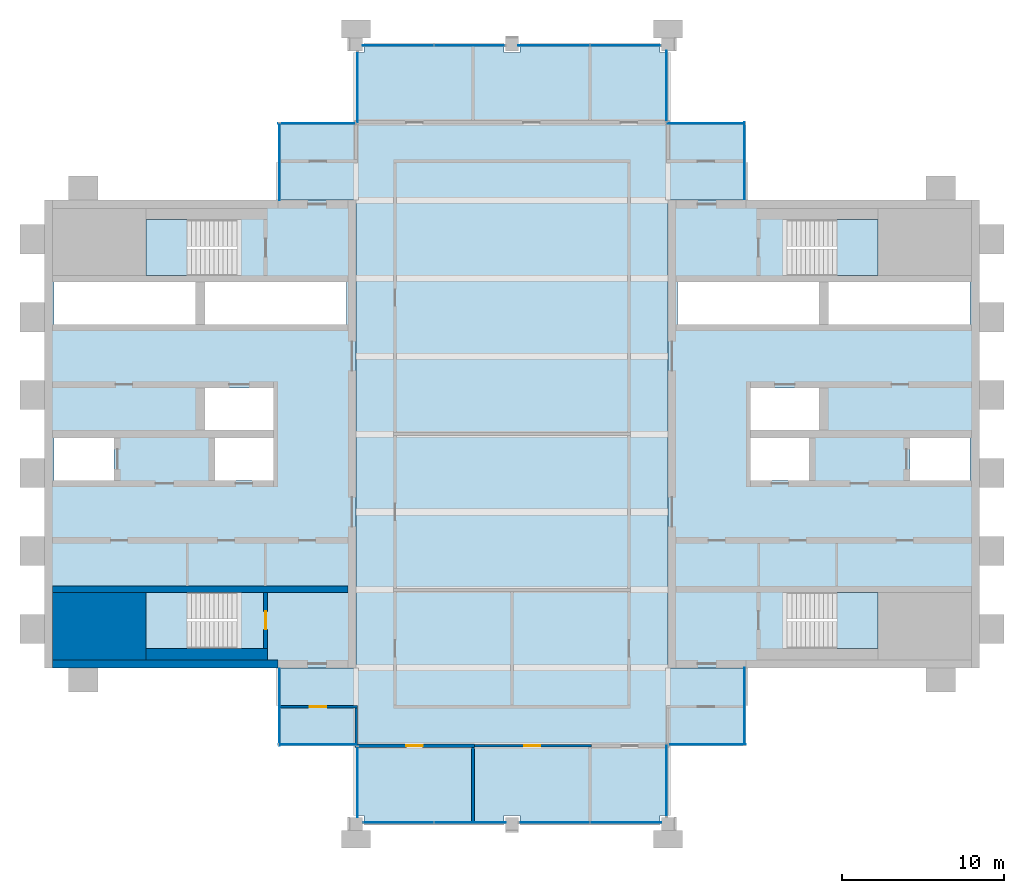
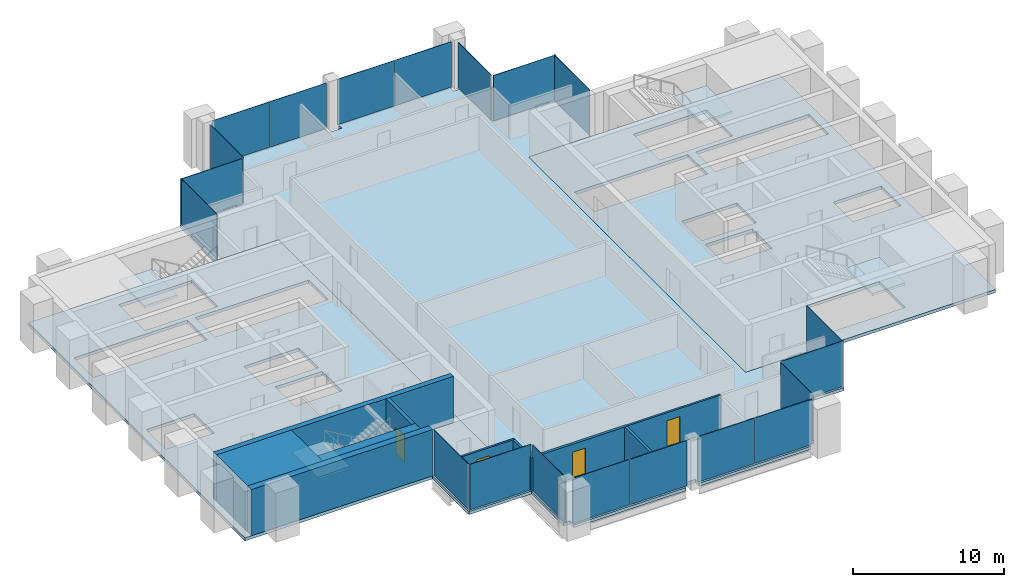
# One storey, part 7 of 11: 20 plates, 10 walls, 7 slabs, 4 doors, 4 openings, 20 elements without a shape of their own.
"""IFC4 building model written with IfcOpenShell, lengths in metres."""

from ifc_helpers import new_model, si_unit, direction, frame, frame_2d, origin, origin_2d, place, context, subcontext, project, spatial, polyline, rectangle, outline, extrude, material, layer, layer_set, type_object, element, fill, aggregate, save


model = new_model("IFC4")

# Units and contexts
model_context = context("Model", 3, precision=1e-05, world=origin(), true_north=direction((0.0, 1.0)))
body_context = subcontext(model_context, "Body", "Model", "MODEL_VIEW")
ifc_project = project(units=[si_unit("LENGTHUNIT", "METRE"), si_unit("AREAUNIT", "SQUARE_METRE"), si_unit("VOLUMEUNIT", "CUBIC_METRE"), si_unit("PLANEANGLEUNIT", "RADIAN"), si_unit("MASSUNIT", "GRAM", prefix="KILO")], contexts=[model_context])

# Site, building, storey
site_placement = place(None, origin())
site = spatial("IfcSite", under=ifc_project, at=site_placement, CompositionType="ELEMENT")
building_placement = place(site_placement, origin())
building = spatial("IfcBuilding", under=site, at=building_placement, Name="Baori Bourse Tower", CompositionType="ELEMENT")
storey_placement = place(building_placement, frame((0.0, 0.0, 354.300048828125)))
storey = spatial("IfcBuildingStorey", under=building, at=storey_placement, Name="L79", CompositionType="ELEMENT", Elevation=354.300048828125)

# Curtain wall, plate
ifc_material_1 = material(Name="Pale anodised aluminium", Category="aluminium")
curtain_wall_type = type_object("IfcCurtainWallType", Name="CW3 Curtain wall", PredefinedType="NOTDEFINED", material=ifc_material_1)
curtain_wall_1_placement = place(storey_placement, origin())
curtain_wall_1 = element("IfcCurtainWall", 1, at=curtain_wall_1_placement, inside=storey, type_object=curtain_wall_type, Name="Curtain wall CW3 L79 1", PredefinedType="NOTDEFINED")
ifc_material_2 = material(Name="Pale anodised aluminium", Category="aluminium")
ifc_layer_1 = layer(ifc_material_2, 0.0400390625)
ifc_layer_set_1 = layer_set([ifc_layer_1], Name="CW3 Curtain wall panel")
plate_type = type_object("IfcPlateType", Name="CW3 Curtain wall panel", PredefinedType="CURTAIN_PANEL", material=ifc_layer_set_1)
plate_1_placement = place(storey_placement, frame((43.1201171875, 7.22509765625, 0.06005859375), z_axis=(0.0, 0.0, 1.0), x_axis=(0.0, 1.0, 0.0)))
plate_1 = element("IfcPlate", 2, at=plate_1_placement, type_object=plate_type, Name="Curtain wall CW3 louvre panel", PredefinedType="CURTAIN_PANEL", context=body_context, shape_type="SweptSolid", body=[
    extrude(rectangle(XDim=4.75, YDim=0.0400390625, at=origin_2d()), origin(), (0.0, 0.0, 1.0), 3.68994140625),
])
aggregate(curtain_wall_1, [plate_1])

curtain_wall_2_placement = place(storey_placement, origin())
curtain_wall_2 = element("IfcCurtainWall", 3, at=curtain_wall_2_placement, inside=storey, type_object=curtain_wall_type, Name="Curtain wall CW3 L79 2", PredefinedType="NOTDEFINED")
plate_2_placement = place(storey_placement, frame((43.1201171875, 40.824951171875, 0.06005859375), z_axis=(0.0, 0.0, 1.0), x_axis=(0.0, 1.0, 0.0)))
plate_2 = element("IfcPlate", 4, at=plate_2_placement, type_object=plate_type, Name="Curtain wall CW3 louvre panel", PredefinedType="CURTAIN_PANEL", context=body_context, shape_type="SweptSolid", body=[
    extrude(rectangle(XDim=4.75, YDim=0.0400390625, at=origin_2d()), origin(), (0.0, 0.0, 1.0), 3.68994140625),
])
aggregate(curtain_wall_2, [plate_2])

curtain_wall_3_placement = place(storey_placement, origin())
curtain_wall_3 = element("IfcCurtainWall", 5, at=curtain_wall_3_placement, inside=storey, type_object=curtain_wall_type, Name="Curtain wall CW3 L79 3", PredefinedType="NOTDEFINED")
plate_3_placement = place(storey_placement, frame((40.77490234375, 43.1201171875, 0.06005859375), z_axis=(0.0, 0.0, 1.0), x_axis=(-1.0, 0.0, 0.0)))
plate_3 = element("IfcPlate", 6, at=plate_3_placement, type_object=plate_type, Name="Curtain wall CW3 louvre panel", PredefinedType="CURTAIN_PANEL", context=body_context, shape_type="SweptSolid", body=[
    extrude(rectangle(XDim=4.75, YDim=0.0400390625, at=origin_2d()), origin(), (0.0, 0.0, 1.0), 3.68994140625),
])
aggregate(curtain_wall_3, [plate_3])

curtain_wall_4_placement = place(storey_placement, origin())
curtain_wall_4 = element("IfcCurtainWall", 7, at=curtain_wall_4_placement, inside=storey, type_object=curtain_wall_type, Name="Curtain wall CW3 L79 4", PredefinedType="NOTDEFINED")
plate_4_placement = place(storey_placement, frame((38.320068359375, 45.425048828125, 0.06005859375), z_axis=(0.0, 0.0, 1.0), x_axis=(0.0, 1.0, 0.0)))
plate_4 = element("IfcPlate", 8, at=plate_4_placement, type_object=plate_type, Name="Curtain wall CW3 louvre panel", PredefinedType="CURTAIN_PANEL", context=body_context, shape_type="SweptSolid", body=[
    extrude(rectangle(XDim=4.35009765625, YDim=0.0400390625, at=origin_2d()), origin(), (0.0, 0.0, 1.0), 3.68994140625),
])
aggregate(curtain_wall_4, [plate_4])

# Curtain wall, plates
curtain_wall_5_placement = place(storey_placement, origin())
curtain_wall_5 = element("IfcCurtainWall", 9, at=curtain_wall_5_placement, inside=storey, type_object=curtain_wall_type, Name="Curtain wall CW3 L79 5", PredefinedType="NOTDEFINED")
plate_5_placement = place(storey_placement, frame((35.78759765625, 47.919921875, 0.06005859375), z_axis=(0.0, 0.0, 1.0), x_axis=(-1.0, 0.0, 0.0)))
plate_5 = element("IfcPlate", 10, at=plate_5_placement, type_object=plate_type, Name="Curtain wall CW3 louvre panel", PredefinedType="CURTAIN_PANEL", context=body_context, shape_type="SweptSolid", body=[
    extrude(rectangle(XDim=4.324951171875, YDim=0.0400390625, at=origin_2d()), origin(), (0.0, 0.0, 1.0), 3.68994140625),
])
plate_6_placement = place(storey_placement, frame((31.387451171875, 47.919921875, 0.06005859375), z_axis=(0.0, 0.0, 1.0), x_axis=(-1.0, 0.0, 0.0)))
plate_6 = element("IfcPlate", 11, at=plate_6_placement, type_object=plate_type, Name="Curtain wall CW3 louvre panel", PredefinedType="CURTAIN_PANEL", context=body_context, shape_type="SweptSolid", body=[
    extrude(rectangle(XDim=4.375, YDim=0.0400390625, at=origin_2d()), origin(), (0.0, 0.0, 1.0), 3.68994140625),
])
aggregate(curtain_wall_5, [plate_5, plate_6])

curtain_wall_6_placement = place(storey_placement, origin())
curtain_wall_6 = element("IfcCurtainWall", 12, at=curtain_wall_6_placement, inside=storey, type_object=curtain_wall_type, Name="Curtain wall CW3 L79 6", PredefinedType="NOTDEFINED")
plate_7_placement = place(storey_placement, frame((26.1875, 47.919921875, 0.06005859375), z_axis=(0.0, 0.0, 1.0), x_axis=(-1.0, 0.0, 0.0)))
plate_7 = element("IfcPlate", 13, at=plate_7_placement, type_object=plate_type, Name="Curtain wall CW3 louvre panel", PredefinedType="CURTAIN_PANEL", context=body_context, shape_type="SweptSolid", body=[
    extrude(rectangle(XDim=4.324951171875, YDim=0.0400390625, at=origin_2d()), origin(), (0.0, 0.0, 1.0), 3.68994140625),
])
plate_8_placement = place(storey_placement, frame((21.78759765625, 47.919921875, 0.06005859375), z_axis=(0.0, 0.0, 1.0), x_axis=(-1.0, 0.0, 0.0)))
plate_8 = element("IfcPlate", 14, at=plate_8_placement, type_object=plate_type, Name="Curtain wall CW3 louvre panel", PredefinedType="CURTAIN_PANEL", context=body_context, shape_type="SweptSolid", body=[
    extrude(rectangle(XDim=4.375, YDim=0.0400390625, at=origin_2d()), origin(), (0.0, 0.0, 1.0), 3.68994140625),
])
aggregate(curtain_wall_6, [plate_7, plate_8])

# Curtain wall, plate
curtain_wall_7_placement = place(storey_placement, origin())
curtain_wall_7 = element("IfcCurtainWall", 15, at=curtain_wall_7_placement, inside=storey, type_object=curtain_wall_type, Name="Curtain wall CW3 L79 7", PredefinedType="NOTDEFINED")
plate_9_placement = place(storey_placement, frame((19.280029296875, 45.375, 0.06005859375), z_axis=(0.0, 0.0, 1.0), x_axis=(0.0, -1.0, 0.0)))
plate_9 = element("IfcPlate", 16, at=plate_9_placement, type_object=plate_type, Name="Curtain wall CW3 louvre panel", PredefinedType="CURTAIN_PANEL", context=body_context, shape_type="SweptSolid", body=[
    extrude(rectangle(XDim=4.35009765625, YDim=0.0400390625, at=origin_2d()), origin(), (0.0, 0.0, 1.0), 3.68994140625),
])
aggregate(curtain_wall_7, [plate_9])

curtain_wall_8_placement = place(storey_placement, origin())
curtain_wall_8 = element("IfcCurtainWall", 17, at=curtain_wall_8_placement, inside=storey, type_object=curtain_wall_type, Name="Curtain wall CW3 L79 8", PredefinedType="NOTDEFINED")
plate_10_placement = place(storey_placement, frame((16.77490234375, 43.1201171875, 0.06005859375), z_axis=(0.0, 0.0, 1.0), x_axis=(-1.0, 0.0, 0.0)))
plate_10 = element("IfcPlate", 18, at=plate_10_placement, type_object=plate_type, Name="Curtain wall CW3 louvre panel", PredefinedType="CURTAIN_PANEL", context=body_context, shape_type="SweptSolid", body=[
    extrude(rectangle(XDim=4.75, YDim=0.0400390625, at=origin_2d()), origin(), (0.0, 0.0, 1.0), 3.68994140625),
])
aggregate(curtain_wall_8, [plate_10])

curtain_wall_9_placement = place(storey_placement, origin())
curtain_wall_9 = element("IfcCurtainWall", 19, at=curtain_wall_9_placement, inside=storey, type_object=curtain_wall_type, Name="Curtain wall CW3 L79 9", PredefinedType="NOTDEFINED")
plate_11_placement = place(storey_placement, frame((14.47998046875, 40.77490234375, 0.06005859375), z_axis=(0.0, 0.0, 1.0), x_axis=(0.0, -1.0, 0.0)))
plate_11 = element("IfcPlate", 20, at=plate_11_placement, type_object=plate_type, Name="Curtain wall CW3 louvre panel", PredefinedType="CURTAIN_PANEL", context=body_context, shape_type="SweptSolid", body=[
    extrude(rectangle(XDim=4.75, YDim=0.0400390625, at=origin_2d()), origin(), (0.0, 0.0, 1.0), 3.68994140625),
])
aggregate(curtain_wall_9, [plate_11])

curtain_wall_10_placement = place(storey_placement, origin())
curtain_wall_10 = element("IfcCurtainWall", 21, at=curtain_wall_10_placement, inside=storey, type_object=curtain_wall_type, Name="Curtain wall CW3 L79 10", PredefinedType="NOTDEFINED")
plate_12_placement = place(storey_placement, frame((14.47998046875, 7.175048828125, 0.06005859375), z_axis=(0.0, 0.0, 1.0), x_axis=(0.0, -1.0, 0.0)))
plate_12 = element("IfcPlate", 22, at=plate_12_placement, type_object=plate_type, Name="Curtain wall CW3 louvre panel", PredefinedType="CURTAIN_PANEL", context=body_context, shape_type="SweptSolid", body=[
    extrude(rectangle(XDim=4.75, YDim=0.0400390625, at=origin_2d()), origin(), (0.0, 0.0, 1.0), 3.68994140625),
])
aggregate(curtain_wall_10, [plate_12])

curtain_wall_11_placement = place(storey_placement, origin())
curtain_wall_11 = element("IfcCurtainWall", 23, at=curtain_wall_11_placement, inside=storey, type_object=curtain_wall_type, Name="Curtain wall CW3 L79 11", PredefinedType="NOTDEFINED")
plate_13_placement = place(storey_placement, frame((16.824951171875, 4.8798828125, 0.06005859375), z_axis=(0.0, 0.0, 1.0), x_axis=(1.0, 0.0, 0.0)))
plate_13 = element("IfcPlate", 24, at=plate_13_placement, type_object=plate_type, Name="Curtain wall CW3 louvre panel", PredefinedType="CURTAIN_PANEL", context=body_context, shape_type="SweptSolid", body=[
    extrude(rectangle(XDim=4.75, YDim=0.0400390625, at=origin_2d()), origin(), (0.0, 0.0, 1.0), 3.68994140625),
])
aggregate(curtain_wall_11, [plate_13])

curtain_wall_12_placement = place(storey_placement, origin())
curtain_wall_12 = element("IfcCurtainWall", 25, at=curtain_wall_12_placement, inside=storey, type_object=curtain_wall_type, Name="Curtain wall CW3 L79 12", PredefinedType="NOTDEFINED")
plate_14_placement = place(storey_placement, frame((19.280029296875, 2.574951171875, 0.06005859375), z_axis=(0.0, 0.0, 1.0), x_axis=(0.0, -1.0, 0.0)))
plate_14 = element("IfcPlate", 26, at=plate_14_placement, type_object=plate_type, Name="Curtain wall CW3 louvre panel", PredefinedType="CURTAIN_PANEL", context=body_context, shape_type="SweptSolid", body=[
    extrude(rectangle(XDim=4.35009765625, YDim=0.0400390625, at=origin_2d()), origin(), (0.0, 0.0, 1.0), 3.68994140625),
])
aggregate(curtain_wall_12, [plate_14])

# Curtain wall, plates
curtain_wall_13_placement = place(storey_placement, origin())
curtain_wall_13 = element("IfcCurtainWall", 27, at=curtain_wall_13_placement, inside=storey, type_object=curtain_wall_type, Name="Curtain wall CW3 L79 13", PredefinedType="NOTDEFINED")
plate_15_placement = place(storey_placement, frame((21.8125, 0.080078125, 0.06005859375), z_axis=(0.0, 0.0, 1.0), x_axis=(1.0, 0.0, 0.0)))
plate_15 = element("IfcPlate", 28, at=plate_15_placement, type_object=plate_type, Name="Curtain wall CW3 louvre panel", PredefinedType="CURTAIN_PANEL", context=body_context, shape_type="SweptSolid", body=[
    extrude(rectangle(XDim=4.324951171875, YDim=0.0400390625, at=origin_2d()), origin(), (0.0, 0.0, 1.0), 3.68994140625),
])
plate_16_placement = place(storey_placement, frame((26.21240234375, 0.080078125, 0.06005859375), z_axis=(0.0, 0.0, 1.0), x_axis=(1.0, 0.0, 0.0)))
plate_16 = element("IfcPlate", 29, at=plate_16_placement, type_object=plate_type, Name="Curtain wall CW3 louvre panel", PredefinedType="CURTAIN_PANEL", context=body_context, shape_type="SweptSolid", body=[
    extrude(rectangle(XDim=4.375, YDim=0.0400390625, at=origin_2d()), origin(), (0.0, 0.0, 1.0), 3.68994140625),
])
aggregate(curtain_wall_13, [plate_15, plate_16])

curtain_wall_14_placement = place(storey_placement, origin())
curtain_wall_14 = element("IfcCurtainWall", 30, at=curtain_wall_14_placement, inside=storey, type_object=curtain_wall_type, Name="Curtain wall CW3 L79 14", PredefinedType="NOTDEFINED")
plate_17_placement = place(storey_placement, frame((31.41259765625, 0.080078125, 0.06005859375), z_axis=(0.0, 0.0, 1.0), x_axis=(1.0, 0.0, 0.0)))
plate_17 = element("IfcPlate", 31, at=plate_17_placement, type_object=plate_type, Name="Curtain wall CW3 louvre panel", PredefinedType="CURTAIN_PANEL", context=body_context, shape_type="SweptSolid", body=[
    extrude(rectangle(XDim=4.324951171875, YDim=0.0400390625, at=origin_2d()), origin(), (0.0, 0.0, 1.0), 3.68994140625),
])
plate_18_placement = place(storey_placement, frame((35.8125, 0.080078125, 0.06005859375), z_axis=(0.0, 0.0, 1.0), x_axis=(1.0, 0.0, 0.0)))
plate_18 = element("IfcPlate", 32, at=plate_18_placement, type_object=plate_type, Name="Curtain wall CW3 louvre panel", PredefinedType="CURTAIN_PANEL", context=body_context, shape_type="SweptSolid", body=[
    extrude(rectangle(XDim=4.375, YDim=0.0400390625, at=origin_2d()), origin(), (0.0, 0.0, 1.0), 3.68994140625),
])
aggregate(curtain_wall_14, [plate_17, plate_18])

# Curtain wall, plate
curtain_wall_15_placement = place(storey_placement, origin())
curtain_wall_15 = element("IfcCurtainWall", 33, at=curtain_wall_15_placement, inside=storey, type_object=curtain_wall_type, Name="Curtain wall CW3 L79 15", PredefinedType="NOTDEFINED")
plate_19_placement = place(storey_placement, frame((38.320068359375, 2.625, 0.06005859375), z_axis=(0.0, 0.0, 1.0), x_axis=(0.0, 1.0, 0.0)))
plate_19 = element("IfcPlate", 34, at=plate_19_placement, type_object=plate_type, Name="Curtain wall CW3 louvre panel", PredefinedType="CURTAIN_PANEL", context=body_context, shape_type="SweptSolid", body=[
    extrude(rectangle(XDim=4.35009765625, YDim=0.0400390625, at=origin_2d()), origin(), (0.0, 0.0, 1.0), 3.68994140625),
])
aggregate(curtain_wall_15, [plate_19])

curtain_wall_16_placement = place(storey_placement, origin())
curtain_wall_16 = element("IfcCurtainWall", 35, at=curtain_wall_16_placement, inside=storey, type_object=curtain_wall_type, Name="Curtain wall CW3 L79 16", PredefinedType="NOTDEFINED")
plate_20_placement = place(storey_placement, frame((40.824951171875, 4.8798828125, 0.06005859375), z_axis=(0.0, 0.0, 1.0), x_axis=(1.0, 0.0, 0.0)))
plate_20 = element("IfcPlate", 36, at=plate_20_placement, type_object=plate_type, Name="Curtain wall CW3 louvre panel", PredefinedType="CURTAIN_PANEL", context=body_context, shape_type="SweptSolid", body=[
    extrude(rectangle(XDim=4.75, YDim=0.0400390625, at=origin_2d()), origin(), (0.0, 0.0, 1.0), 3.68994140625),
])
aggregate(curtain_wall_16, [plate_20])

# Slabs
ifc_material_3 = material(Name="Concrete f'c 50 MPa", Category="concrete")
ifc_layer_2 = layer(ifc_material_3, 0.25)
ifc_layer_set_2 = layer_set([ifc_layer_2], Name="Core slab 250")
slab_type_1 = type_object("IfcSlabType", Name="Core slab 250", PredefinedType="FLOOR", material=ifc_layer_set_2)
slab_1_placement = place(storey_placement, frame((0.0, 0.0, -0.25)))
element("IfcSlab", 37, at=slab_1_placement, inside=storey, type_object=slab_type_1, Name="Core floor slab W01", PredefinedType="FLOOR", context=body_context, shape_type="SweptSolid", body=[
    extrude(outline(polyline([(19.199951171875, 38.39990234375), (0.0, 38.39990234375), (0.0, 9.60009765625), (19.199951171875, 9.60009765625), (19.199951171875, 38.39990234375)]), holes=[polyline([(9.89990234375, 33.35009765625), (18.60009765625, 33.35009765625), (18.60009765625, 30.75), (9.89990234375, 30.75), (9.89990234375, 33.35009765625)]), polyline([(10.5, 21.14990234375), (10.5, 23.75), (14.10009765625, 23.75), (14.10009765625, 21.14990234375), (10.5, 21.14990234375)]), polyline([(14.10009765625, 24.25), (9.89990234375, 24.25), (9.89990234375, 26.85009765625), (14.10009765625, 26.85009765625), (14.10009765625, 24.25)]), polyline([(6.25, 14.25), (11.84912109375, 14.25), (11.84912109375, 10.800048828125), (6.25, 10.800048828125), (6.25, 14.25)]), polyline([(11.84912109375, 37.199951171875), (11.84912109375, 33.75), (6.25, 33.75), (6.25, 37.199951171875), (11.84912109375, 37.199951171875)]), polyline([(0.60009765625, 30.75), (0.60009765625, 33.35009765625), (9.300048828125, 33.35009765625), (9.300048828125, 30.75), (0.60009765625, 30.75)]), polyline([(4.300048828125, 23.75), (4.300048828125, 21.14990234375), (0.60009765625, 21.14990234375), (0.60009765625, 23.75), (4.300048828125, 23.75)])]), origin(), (0.0, 0.0, 1.0), 0.25),
])
slab_2_placement = place(storey_placement, frame((0.0, 0.0, -0.25)))
element("IfcSlab", 38, at=slab_2_placement, inside=storey, type_object=slab_type_1, Name="Core floor slab E01", PredefinedType="FLOOR", context=body_context, shape_type="SweptSolid", body=[
    extrude(outline(polyline([(57.60009765625, 9.60009765625), (57.60009765625, 38.39990234375), (38.39990234375, 38.39990234375), (38.39990234375, 9.60009765625), (57.60009765625, 9.60009765625)]), holes=[polyline([(48.300048828125, 33.35009765625), (57.0, 33.35009765625), (57.0, 30.75), (48.300048828125, 30.75), (48.300048828125, 33.35009765625)]), polyline([(57.0, 21.14990234375), (53.300048828125, 21.14990234375), (53.300048828125, 23.75), (57.0, 23.75), (57.0, 21.14990234375)]), polyline([(45.750732421875, 14.25), (51.35009765625, 14.25), (51.35009765625, 10.800048828125), (45.750732421875, 10.800048828125), (45.750732421875, 14.25)]), polyline([(51.35009765625, 37.199951171875), (51.35009765625, 33.75), (45.750732421875, 33.75), (45.750732421875, 37.199951171875), (51.35009765625, 37.199951171875)]), polyline([(43.5, 24.25), (43.5, 26.85009765625), (47.699951171875, 26.85009765625), (47.699951171875, 24.25), (43.5, 24.25)]), polyline([(47.699951171875, 33.35009765625), (47.699951171875, 30.75), (39.0, 30.75), (39.0, 33.35009765625), (47.699951171875, 33.35009765625)]), polyline([(43.5, 23.75), (47.10009765625, 23.75), (47.10009765625, 21.14990234375), (43.5, 21.14990234375), (43.5, 23.75)])]), origin(), (0.0, 0.0, 1.0), 0.25),
])

# Stair, slab
ifc_material_4 = material(Name="Concrete f'c 50 MPa", Category="concrete")
stair_type = type_object("IfcStairType", Name="Core stair", PredefinedType="HALF_TURN_STAIR", material=ifc_material_4)
stair_1_placement = place(storey_placement, origin())
stair_1 = element("IfcStair", 39, at=stair_1_placement, inside=storey, type_object=stair_type, Name="L79 Stair WA", PredefinedType="HALF_TURN_STAIR")
ifc_material_5 = material(Name="Concrete f'c 50 MPa", Category="concrete")
slab_type_2 = type_object("IfcSlabType", Name="Core stair landing", PredefinedType="LANDING", material=ifc_material_5)
slab_3_placement = place(storey_placement, frame((0.0, 0.0, 1.800048828125)))
slab_3 = element("IfcSlab", 40, at=slab_3_placement, type_object=slab_type_2, Name="ST1 landing 1", PredefinedType="LANDING", context=body_context, shape_type="SweptSolid", body=[
    extrude(outline(polyline([(8.77001953125, 14.25), (6.25, 14.25), (6.25, 10.800048828125), (8.77001953125, 10.800048828125), (8.77001953125, 14.25)])), origin(), (0.0, 0.0, 1.0), 0.199951171875),
])
aggregate(stair_1, [slab_3])

stair_2_placement = place(storey_placement, origin())
stair_2 = element("IfcStair", 41, at=stair_2_placement, inside=storey, type_object=stair_type, Name="L79 Stair WB", PredefinedType="HALF_TURN_STAIR")
slab_4_placement = place(storey_placement, frame((0.0, 0.0, 1.800048828125)))
slab_4 = element("IfcSlab", 42, at=slab_4_placement, type_object=slab_type_2, Name="ST2 landing 1", PredefinedType="LANDING", context=body_context, shape_type="SweptSolid", body=[
    extrude(outline(polyline([(8.77001953125, 37.199951171875), (6.25, 37.199951171875), (6.25, 33.75), (8.77001953125, 33.75), (8.77001953125, 37.199951171875)])), origin(), (0.0, 0.0, 1.0), 0.199951171875),
])
aggregate(stair_2, [slab_4])

stair_3_placement = place(storey_placement, origin())
stair_3 = element("IfcStair", 43, at=stair_3_placement, inside=storey, type_object=stair_type, Name="L79 Stair EA", PredefinedType="HALF_TURN_STAIR")
slab_5_placement = place(storey_placement, frame((0.0, 0.0, 1.800048828125)))
slab_5 = element("IfcSlab", 44, at=slab_5_placement, type_object=slab_type_2, Name="ST3 landing 1", PredefinedType="LANDING", context=body_context, shape_type="SweptSolid", body=[
    extrude(outline(polyline([(48.830078125, 10.800048828125), (51.35009765625, 10.800048828125), (51.35009765625, 14.25), (48.830078125, 14.25), (48.830078125, 10.800048828125)])), origin(), (0.0, 0.0, 1.0), 0.199951171875),
])
aggregate(stair_3, [slab_5])

stair_4_placement = place(storey_placement, origin())
stair_4 = element("IfcStair", 45, at=stair_4_placement, inside=storey, type_object=stair_type, Name="L79 Stair EB", PredefinedType="HALF_TURN_STAIR")
slab_6_placement = place(storey_placement, frame((0.0, 0.0, 1.800048828125)))
slab_6 = element("IfcSlab", 46, at=slab_6_placement, type_object=slab_type_2, Name="ST4 landing 1", PredefinedType="LANDING", context=body_context, shape_type="SweptSolid", body=[
    extrude(outline(polyline([(48.830078125, 33.75), (51.35009765625, 33.75), (51.35009765625, 37.199951171875), (48.830078125, 37.199951171875), (48.830078125, 33.75)])), origin(), (0.0, 0.0, 1.0), 0.199951171875),
])
aggregate(stair_4, [slab_6])

# Slab
ifc_material_6 = material(Name="Concrete f'c 40 MPa", Category="concrete")
ifc_layer_3 = layer(ifc_material_6, 0.25)
ifc_layer_set_3 = layer_set([ifc_layer_3], Name="Floor slab 250")
slab_type_3 = type_object("IfcSlabType", Name="Floor slab 250", PredefinedType="FLOOR", material=ifc_layer_set_3)
slab_7_placement = place(storey_placement, frame((0.0, 0.0, -0.25)))
element("IfcSlab", 47, at=slab_7_placement, inside=storey, type_object=slab_type_3, Name="Floor slab L79", PredefinedType="FLOOR", context=body_context, shape_type="SweptSolid", body=[
    extrude(outline(polyline([(19.199951171875, 4.800048828125), (14.39990234375, 4.800048828125), (14.39990234375, 9.60009765625), (19.199951171875, 9.60009765625), (19.199951171875, 38.39990234375), (14.39990234375, 38.39990234375), (14.39990234375, 43.199951171875), (19.199951171875, 43.199951171875), (19.199951171875, 47.5), (19.699951171875, 47.5), (19.699951171875, 48.0), (28.300048828125, 48.0), (28.300048828125, 47.5), (29.300048828125, 47.5), (29.300048828125, 48.0), (37.89990234375, 48.0), (37.89990234375, 47.5), (38.39990234375, 47.5), (38.39990234375, 43.199951171875), (43.199951171875, 43.199951171875), (43.199951171875, 38.39990234375), (38.39990234375, 38.39990234375), (38.39990234375, 9.60009765625), (43.199951171875, 9.60009765625), (43.199951171875, 4.800048828125), (38.39990234375, 4.800048828125), (38.39990234375, 0.5), (37.89990234375, 0.5), (37.89990234375, 0.0), (29.300048828125, 0.0), (29.300048828125, 0.5), (28.300048828125, 0.5), (28.300048828125, 0.0), (19.699951171875, 0.0), (19.699951171875, 0.5), (19.199951171875, 0.5), (19.199951171875, 4.800048828125)])), origin(), (0.0, 0.0, 1.0), 0.25),
])

# Walls
ifc_material_7 = material(Name="Concrete f'c 40 MPa", Category="concrete")
wall_type_1 = type_object("IfcWallType", Name="Core corner block f'c 40", PredefinedType="SHEAR", material=ifc_material_7)
wall_1_placement = place(storey_placement, frame((0.5, 12.175048828125, 0.0), z_axis=(0.0, 0.0, 1.0), x_axis=(1.0, 0.0, 0.0)))
element("IfcWall", 48, at=wall_1_placement, inside=storey, type_object=wall_type_1, Name="Core wall W05", PredefinedType="SHEAR", context=body_context, shape_type="SweptSolid", body=[
    extrude(rectangle(XDim=5.75, YDim=4.14990234375, at=frame_2d((2.875, 0.0))), origin(), (0.0, 0.0, 1.0), 3.75),
])
ifc_material_8 = material(Name="Concrete f'c 40 MPa", Category="concrete")
ifc_layer_4 = layer(ifc_material_8, 0.5)
ifc_layer_set_4 = layer_set([ifc_layer_4], Name="Core wall 500 f'c 40")
wall_type_2 = type_object("IfcWallType", Name="Core wall 500 f'c 40", PredefinedType="SHEAR", material=ifc_layer_set_4)
wall_2_placement = place(storey_placement, frame((14.39990234375, 9.85009765625, 0.0), z_axis=(0.0, 0.0, 1.0), x_axis=(-1.0, 0.0, 0.0)))
element("IfcWall", 49, at=wall_2_placement, inside=storey, type_object=wall_type_2, Name="Core wall W02", PredefinedType="SHEAR", context=body_context, shape_type="SweptSolid", body=[
    extrude(rectangle(XDim=13.89990234375, YDim=0.5, at=frame_2d((6.949951171875, 0.0))), origin(), (0.0, 0.0, 1.0), 3.75),
])

# Wall, opening, door
ifc_material_9 = material(Name="Gypsum board partition")
ifc_layer_5 = layer(ifc_material_9, 0.14990234375)
ifc_layer_set_5 = layer_set([ifc_layer_5], Name="Corridor partition 150")
wall_type_3 = type_object("IfcWallType", Name="Corridor partition 150", PredefinedType="PARTITIONING", material=ifc_layer_set_5)
wall_3_placement = place(storey_placement, frame((26.5, 4.800048828125, 0.0), z_axis=(0.0, 0.0, 1.0), x_axis=(1.0, 0.0, 0.0)))
wall_3 = element("IfcWall", 50, at=wall_3_placement, inside=storey, type_object=wall_type_3, Name="Partition", PredefinedType="PARTITIONING", context=body_context, shape_type="SweptSolid", body=[
    extrude(rectangle(XDim=7.199951171875, YDim=0.14990234375, at=frame_2d((3.60009765625, 0.0))), origin(), (0.0, 0.0, 1.0), 2.75927734375),
])
opening_1_placement = place(wall_3_placement, frame((3.050048828125, 0.0, 0.0)))
opening_1 = element("IfcOpeningElement", 51, at=opening_1_placement, cuts=wall_3, Name="Opening L79-D02", PredefinedType="OPENING", context=body_context, shape_type="SweptSolid", body=[
    extrude(rectangle(XDim=1.0, YDim=2.10009765625, at=frame_2d((0.5, 1.050048828125))), frame((0.0, 0.0849609375, 0.0), z_axis=(0.0, -1.0, 0.0), x_axis=(1.0, 0.0, 0.0)), (0.0, 0.0, 1.0), 0.169921875),
])
ifc_material_10 = material(Name="Timber door leaf", Category="wood")
door_type_1 = type_object("IfcDoorType", Name="Door 1000 x 2100", OperationType="SINGLE_SWING_LEFT", PredefinedType="DOOR", material=ifc_material_10)
door_1_placement = place(opening_1_placement, origin())
door_1 = element("IfcDoor", 52, at=door_1_placement, inside=storey, type_object=door_type_1, Name="Door", OperationType="SINGLE_SWING_LEFT", OverallHeight=2.10009765625, OverallWidth=1.0, PredefinedType="DOOR", context=body_context, shape_type="SweptSolid", body=[
    extrude(rectangle(XDim=1.0, YDim=2.10009765625, at=frame_2d((0.5, 1.050048828125))), frame((0.0, 0.02490234375, 0.0), z_axis=(0.0, -1.0, 0.0), x_axis=(1.0, 0.0, 0.0)), (0.0, 0.0, 1.0), 0.050048828125),
])
fill(opening_1, door_1)

wall_4_placement = place(storey_placement, frame((14.5, 7.199951171875, 0.0), z_axis=(0.0, 0.0, 1.0), x_axis=(1.0, 0.0, 0.0)))
wall_4 = element("IfcWall", 53, at=wall_4_placement, inside=storey, type_object=wall_type_3, Name="Partition", PredefinedType="PARTITIONING", context=body_context, shape_type="SweptSolid", body=[
    extrude(rectangle(XDim=4.77490234375, YDim=0.14990234375, at=frame_2d((2.387451171875, 0.0))), origin(), (0.0, 0.0, 1.0), 2.75927734375),
])
opening_2_placement = place(wall_4_placement, frame((1.85009765625, 0.0, 0.0)))
opening_2 = element("IfcOpeningElement", 54, at=opening_2_placement, cuts=wall_4, Name="Opening L79-D04", PredefinedType="OPENING", context=body_context, shape_type="SweptSolid", body=[
    extrude(rectangle(XDim=1.0, YDim=2.10009765625, at=frame_2d((0.5, 1.050048828125))), frame((0.0, 0.0849609375, 0.0), z_axis=(0.0, -1.0, 0.0), x_axis=(1.0, 0.0, 0.0)), (0.0, 0.0, 1.0), 0.169921875),
])
door_2_placement = place(opening_2_placement, origin())
door_2 = element("IfcDoor", 55, at=door_2_placement, inside=storey, type_object=door_type_1, Name="Door", OperationType="SINGLE_SWING_LEFT", OverallHeight=2.10009765625, OverallWidth=1.0, PredefinedType="DOOR", context=body_context, shape_type="SweptSolid", body=[
    extrude(rectangle(XDim=1.0, YDim=2.10009765625, at=frame_2d((0.5, 1.050048828125))), frame((0.0, 0.02490234375, 0.0), z_axis=(0.0, -1.0, 0.0), x_axis=(1.0, 0.0, 0.0)), (0.0, 0.0, 1.0), 0.050048828125),
])
fill(opening_2, door_2)

# Wall
wall_5_placement = place(storey_placement, frame((19.199951171875, 4.89990234375, 0.0), z_axis=(0.0, 0.0, 1.0), x_axis=(0.0, 1.0, 0.0)))
element("IfcWall", 56, at=wall_5_placement, inside=storey, type_object=wall_type_3, Name="Partition", PredefinedType="PARTITIONING", context=body_context, shape_type="SweptSolid", body=[
    extrude(rectangle(XDim=2.22509765625, YDim=0.14990234375, at=frame_2d((1.112548828125, 0.0))), origin(), (0.0, 0.0, 1.0), 2.75927734375),
])

# Wall, opening, door
ifc_material_11 = material(Name="Gypsum board partition")
ifc_layer_6 = layer(ifc_material_11, 0.199951171875)
ifc_layer_set_6 = layer_set([ifc_layer_6], Name="Plant room wall 200")
wall_type_4 = type_object("IfcWallType", Name="Plant room wall 200", PredefinedType="PARTITIONING", material=ifc_layer_set_6)
wall_6_placement = place(storey_placement, frame((19.125, 4.800048828125, 0.0), z_axis=(0.0, 0.0, 1.0), x_axis=(1.0, 0.0, 0.0)))
wall_6 = element("IfcWall", 57, at=wall_6_placement, inside=storey, type_object=wall_type_4, Name="Partition", PredefinedType="PARTITIONING", context=body_context, shape_type="SweptSolid", body=[
    extrude(rectangle(XDim=7.375, YDim=0.199951171875, at=frame_2d((3.6875, 0.0))), origin(), (0.0, 0.0, 1.0), 2.75927734375),
])
opening_3_placement = place(wall_6_placement, frame((3.175048828125, 0.0, 0.0)))
opening_3 = element("IfcOpeningElement", 58, at=opening_3_placement, cuts=wall_6, Name="Opening L79-D01", PredefinedType="OPENING", context=body_context, shape_type="SweptSolid", body=[
    extrude(rectangle(XDim=1.0, YDim=2.10009765625, at=frame_2d((0.5, 1.050048828125))), frame((0.0, 0.10986328125, 0.0), z_axis=(0.0, -1.0, 0.0), x_axis=(1.0, 0.0, 0.0)), (0.0, 0.0, 1.0), 0.219970703125),
])
door_3_placement = place(opening_3_placement, origin())
door_3 = element("IfcDoor", 59, at=door_3_placement, inside=storey, type_object=door_type_1, Name="Door", OperationType="SINGLE_SWING_LEFT", OverallHeight=2.10009765625, OverallWidth=1.0, PredefinedType="DOOR", context=body_context, shape_type="SweptSolid", body=[
    extrude(rectangle(XDim=1.0, YDim=2.10009765625, at=frame_2d((0.5, 1.050048828125))), frame((0.0, 0.02490234375, 0.0), z_axis=(0.0, -1.0, 0.0), x_axis=(1.0, 0.0, 0.0)), (0.0, 0.0, 1.0), 0.050048828125),
])
fill(opening_3, door_3)

# Wall
wall_7_placement = place(storey_placement, frame((26.39990234375, 0.10009765625, 0.0), z_axis=(0.0, 0.0, 1.0), x_axis=(0.0, 1.0, 0.0)))
element("IfcWall", 60, at=wall_7_placement, inside=storey, type_object=wall_type_4, Name="Partition", PredefinedType="PARTITIONING", context=body_context, shape_type="SweptSolid", body=[
    extrude(rectangle(XDim=4.599853515625, YDim=0.199951171875, at=frame_2d((2.2998046875, 0.0))), origin(), (0.0, 0.0, 1.0), 2.75927734375),
])

# Wall, opening, door
ifc_material_12 = material(Name="Concrete f'c 40 MPa", Category="concrete")
ifc_layer_7 = layer(ifc_material_12, 0.25)
ifc_layer_set_7 = layer_set([ifc_layer_7], Name="Shaft wall 250 f'c 40")
wall_type_5 = type_object("IfcWallType", Name="Shaft wall 250 f'c 40", PredefinedType="SHEAR", material=ifc_layer_set_7)
wall_8_placement = place(storey_placement, frame((13.625, 10.800048828125, 0.0), z_axis=(0.0, 0.0, 1.0), x_axis=(0.0, 1.0, 0.0)))
wall_8 = element("IfcWall", 61, at=wall_8_placement, inside=storey, type_object=wall_type_5, Name="Core wall W07", PredefinedType="SHEAR", context=body_context, shape_type="SweptSolid", body=[
    extrude(rectangle(XDim=3.449951171875, YDim=0.25, at=frame_2d((1.72509765625, 0.0))), origin(), (0.0, 0.0, 1.0), 3.75),
])
opening_4_placement = place(wall_8_placement, frame((1.175048828125, 0.0, 0.0)))
opening_4 = element("IfcOpeningElement", 62, at=opening_4_placement, cuts=wall_8, Name="Opening L79-D101", PredefinedType="OPENING", context=body_context, shape_type="SweptSolid", body=[
    extrude(rectangle(XDim=1.10009765625, YDim=2.10009765625, at=frame_2d((0.550048828125, 1.050048828125))), frame((0.0, 0.135009765625, 0.0), z_axis=(0.0, -1.0, 0.0), x_axis=(1.0, 0.0, 0.0)), (0.0, 0.0, 1.0), 0.27001953125),
])
ifc_material_13 = material(Name="Painted steel door", Category="steel")
door_type_2 = type_object("IfcDoorType", Name="Stair door 1100", OperationType="SINGLE_SWING_LEFT", PredefinedType="DOOR", material=ifc_material_13)
door_4_placement = place(opening_4_placement, origin())
door_4 = element("IfcDoor", 63, at=door_4_placement, inside=storey, type_object=door_type_2, Name="Stair door A W L79", OperationType="SINGLE_SWING_LEFT", OverallHeight=2.10009765625, OverallWidth=1.10009765625, PredefinedType="DOOR", context=body_context, shape_type="SweptSolid", body=[
    extrude(rectangle(XDim=1.10009765625, YDim=2.10009765625, at=frame_2d((0.550048828125, 1.050048828125))), frame((0.0, 0.02490234375, 0.0), z_axis=(0.0, -1.0, 0.0), x_axis=(1.0, 0.0, 0.0)), (0.0, 0.0, 1.0), 0.050048828125),
])
fill(opening_4, door_4)

# Walls
ifc_material_14 = material(Name="Concrete f'c 40 MPa", Category="concrete")
ifc_layer_8 = layer(ifc_material_14, 0.39990234375)
ifc_layer_set_8 = layer_set([ifc_layer_8], Name="Shaft wall 400 f'c 40")
wall_type_6 = type_object("IfcWallType", Name="Shaft wall 400 f'c 40", PredefinedType="SHEAR", material=ifc_layer_set_8)
wall_9_placement = place(storey_placement, frame((0.5, 14.449951171875, 0.0), z_axis=(0.0, 0.0, 1.0), x_axis=(1.0, 0.0, 0.0)))
element("IfcWall", 64, at=wall_9_placement, inside=storey, type_object=wall_type_6, Name="Core wall W08", PredefinedType="SHEAR", context=body_context, shape_type="SweptSolid", body=[
    extrude(rectangle(XDim=18.199951171875, YDim=0.39990234375, at=frame_2d((9.10009765625, 0.0))), origin(), (0.0, 0.0, 1.0), 3.75),
])
ifc_material_15 = material(Name="Concrete f'c 40 MPa", Category="concrete")
ifc_layer_9 = layer(ifc_material_15, 0.699951171875)
ifc_layer_set_9 = layer_set([ifc_layer_9], Name="Shaft wall 700 f'c 40")
wall_type_7 = type_object("IfcWallType", Name="Shaft wall 700 f'c 40", PredefinedType="SHEAR", material=ifc_layer_set_9)
wall_10_placement = place(storey_placement, frame((6.25, 10.449951171875, 0.0), z_axis=(0.0, 0.0, 1.0), x_axis=(1.0, 0.0, 0.0)))
element("IfcWall", 65, at=wall_10_placement, inside=storey, type_object=wall_type_7, Name="Core wall W06", PredefinedType="SHEAR", context=body_context, shape_type="SweptSolid", body=[
    extrude(rectangle(XDim=7.5, YDim=0.699951171875, at=frame_2d((3.75, 0.0))), origin(), (0.0, 0.0, 1.0), 3.75),
])

save(model, "model.ifc")
